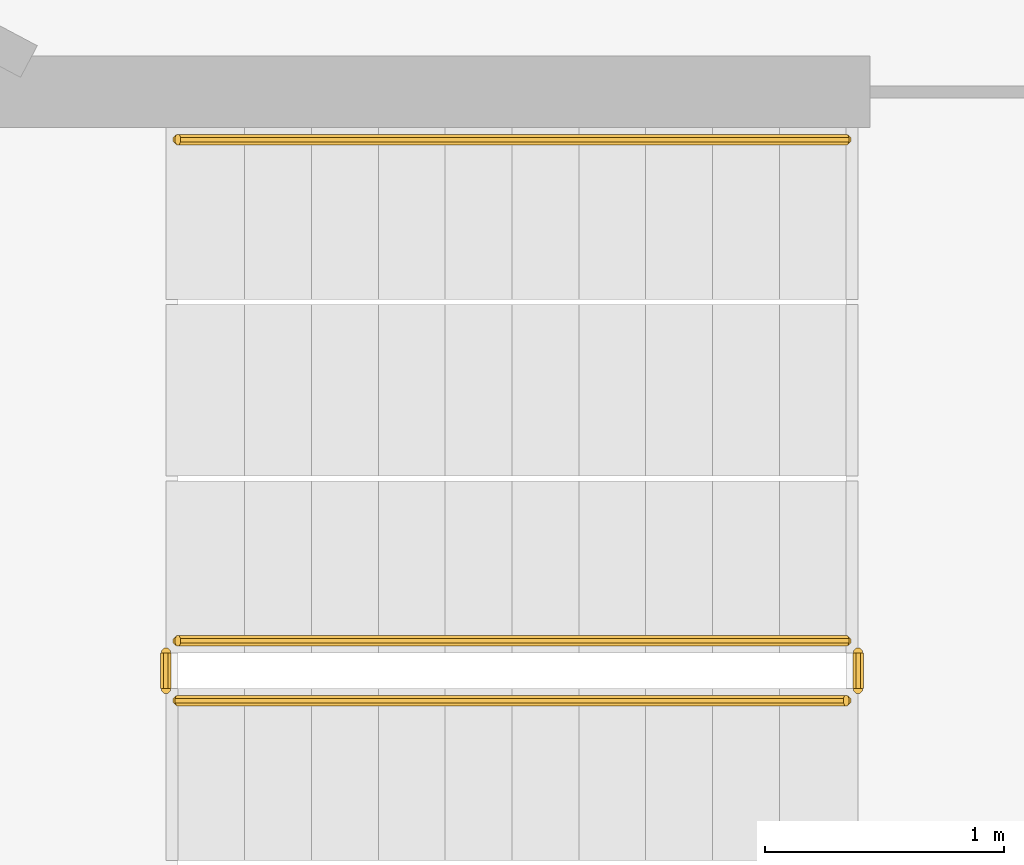
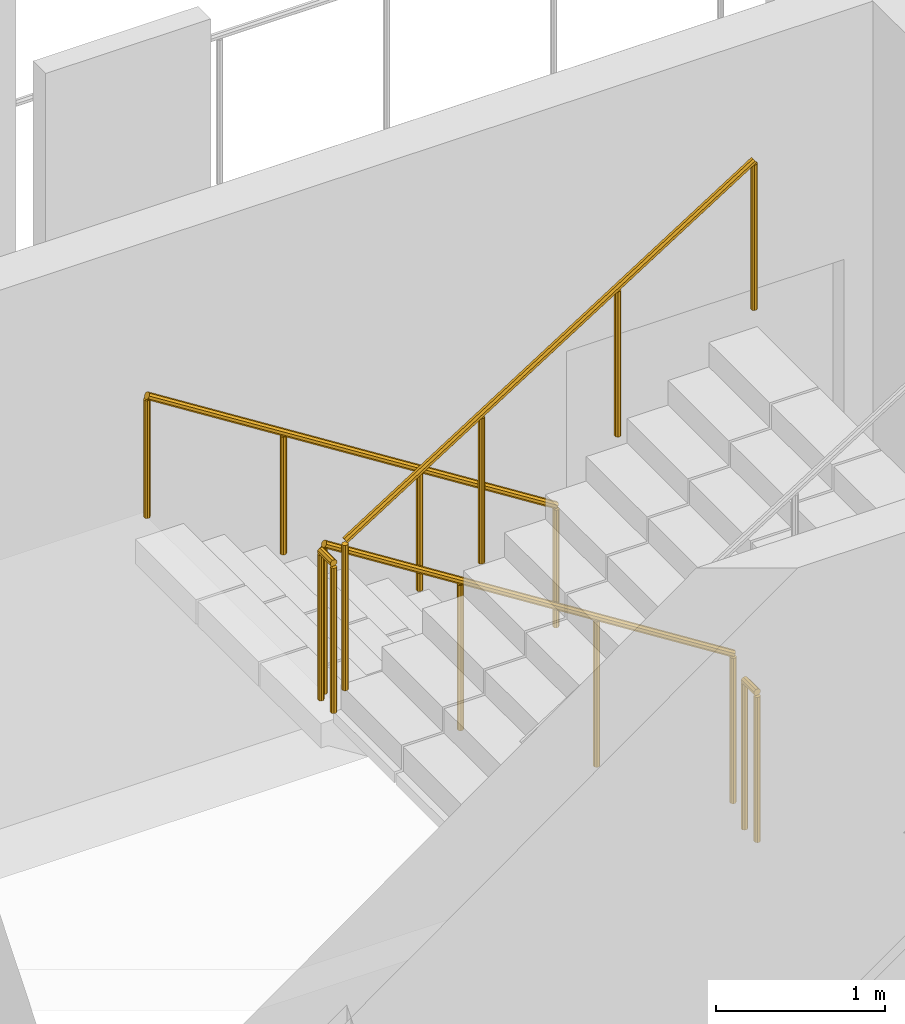
# One storey, part 19 of 25: 5 railings.
"""IFC4 building model written with IfcOpenShell, lengths in metres."""

from ifc_helpers import new_model, si_unit, direction, frame, origin, place, context, subcontext, project, spatial, polyline, outline, extrude, material, type_object, element, save


model = new_model("IFC4")

# Units and contexts
model_context = context("Model", 3, precision=1e-05, world=origin(), true_north=direction((0.0, 1.0)))
body_context = subcontext(model_context, "Body", "Model", "MODEL_VIEW")
ifc_project = project(units=[si_unit("LENGTHUNIT", "METRE"), si_unit("AREAUNIT", "SQUARE_METRE"), si_unit("VOLUMEUNIT", "CUBIC_METRE"), si_unit("PLANEANGLEUNIT", "RADIAN"), si_unit("MASSUNIT", "GRAM", prefix="KILO")], contexts=[model_context])

# Site, building, storey
site_placement = place(None, origin())
site = spatial("IfcSite", under=ifc_project, at=site_placement, CompositionType="ELEMENT")
building_placement = place(site_placement, origin())
building = spatial("IfcBuilding", under=site, at=building_placement, Name="Cormorant Relay Tower", CompositionType="ELEMENT")
storey_placement = place(building_placement, frame((0.0, 0.0, 289.199951171875)))
storey = spatial("IfcBuildingStorey", under=building, at=storey_placement, Name="L65", CompositionType="ELEMENT", Elevation=289.199951171875)

# Railings
ifc_material_1 = material(Name="Steel ASTM A572 Grade 50 (Fy 345 MPa)", Category="steel")
railing_type_1 = type_object("IfcRailingType", Name="Stair guard 1100", PredefinedType="GUARDRAIL", material=ifc_material_1)
railing_1_placement = place(storey_placement, frame((1.60009765625, -18.27490234375, 0.17724609375)))
element("IfcRailing", 1, at=railing_1_placement, inside=storey, type_object=railing_type_1, Name="L65 RK1 stair guard 1", PredefinedType="GUARDRAIL", context=body_context, shape_type="SweptSolid", body=[
    extrude(outline(polyline([(0.022216796875, 0.00927734375), (0.00927734375, 0.022216796875), (-0.00927734375, 0.022216796875), (-0.022216796875, 0.00927734375), (-0.022216796875, -0.00927734375), (-0.00927734375, -0.022216796875), (0.00927734375, -0.022216796875), (0.022216796875, -0.00927734375), (0.022216796875, 0.00927734375)])), frame((0.0, 0.0, 1.076171875), z_axis=(-0.844908973607, 0.0, 0.534910110503), x_axis=(0.0, -1.0, 0.0)), (0.0, 0.0, 1.0), 3.31396484375),
    extrude(outline(polyline([(0.019287109375, 0.008056640625), (0.008056640625, 0.019287109375), (-0.008056640625, 0.019287109375), (-0.019287109375, 0.008056640625), (-0.019287109375, -0.008056640625), (-0.008056640625, -0.019287109375), (0.008056640625, -0.019287109375), (0.019287109375, -0.008056640625), (0.019287109375, 0.008056640625)])), origin(), (0.0, 0.0, 1.0), 1.052001953125),
    extrude(outline(polyline([(0.019287109375, 0.008056640625), (0.008056640625, 0.019287109375), (-0.008056640625, 0.019287109375), (-0.019287109375, 0.008056640625), (-0.019287109375, -0.008056640625), (-0.008056640625, -0.019287109375), (0.008056640625, -0.019287109375), (0.019287109375, -0.008056640625), (0.019287109375, 0.008056640625)])), frame((-0.933349609375, 0.0, 0.5908203125)), (0.0, 0.0, 1.0), 1.052001953125),
    extrude(outline(polyline([(0.019287109375, 0.008056640625), (0.008056640625, 0.019287109375), (-0.008056640625, 0.019287109375), (-0.019287109375, 0.008056640625), (-0.019287109375, -0.008056640625), (-0.008056640625, -0.019287109375), (0.008056640625, -0.019287109375), (0.019287109375, -0.008056640625), (0.019287109375, 0.008056640625)])), frame((-1.86669921875, 0.0, 1.181884765625)), (0.0, 0.0, 1.0), 1.052001953125),
    extrude(outline(polyline([(0.019287109375, 0.008056640625), (0.008056640625, 0.019287109375), (-0.008056640625, 0.019287109375), (-0.019287109375, 0.008056640625), (-0.019287109375, -0.008056640625), (-0.008056640625, -0.019287109375), (0.008056640625, -0.019287109375), (0.019287109375, -0.008056640625), (0.019287109375, 0.008056640625)])), frame((-2.800048828125, 0.0, 1.772705078125)), (0.0, 0.0, 1.0), 1.052001953125),
])
railing_2_placement = place(storey_placement, frame((-1.25, -18.324951171875, 1.949951171875)))
element("IfcRailing", 2, at=railing_2_placement, inside=storey, type_object=railing_type_1, Name="L65 RK1 stair guard 2", PredefinedType="GUARDRAIL", context=body_context, shape_type="SweptSolid", body=[
    extrude(outline(polyline([(0.022216796875, 0.00927734375), (0.00927734375, 0.022216796875), (-0.00927734375, 0.022216796875), (-0.022216796875, 0.00927734375), (-0.022216796875, -0.00927734375), (-0.00927734375, -0.022216796875), (0.00927734375, -0.022216796875), (0.022216796875, -0.00927734375), (0.022216796875, 0.00927734375)])), frame((0.0, 0.0, 1.076171875), z_axis=(0.0, -1.0, 0.0), x_axis=(1.0, 0.0, 0.0)), (0.0, 0.0, 1.0), 0.150146484375),
    extrude(outline(polyline([(0.019287109375, 0.008056640625), (0.008056640625, 0.019287109375), (-0.008056640625, 0.019287109375), (-0.019287109375, 0.008056640625), (-0.019287109375, -0.008056640625), (-0.008056640625, -0.019287109375), (0.008056640625, -0.019287109375), (0.019287109375, -0.008056640625), (0.019287109375, 0.008056640625)])), origin(), (0.0, 0.0, 1.0), 1.052001953125),
    extrude(outline(polyline([(0.019287109375, 0.008056640625), (0.008056640625, 0.019287109375), (-0.008056640625, 0.019287109375), (-0.019287109375, 0.008056640625), (-0.019287109375, -0.008056640625), (-0.008056640625, -0.019287109375), (0.008056640625, -0.019287109375), (0.019287109375, -0.008056640625), (0.019287109375, 0.008056640625)])), frame((0.0, -0.150146484375, 0.0)), (0.0, 0.0, 1.0), 1.052001953125),
])
railing_3_placement = place(storey_placement, frame((-1.199951171875, -18.52490234375, 2.12744140625)))
element("IfcRailing", 3, at=railing_3_placement, inside=storey, type_object=railing_type_1, Name="L65 RK1 stair guard 3", PredefinedType="GUARDRAIL", context=body_context, shape_type="SweptSolid", body=[
    extrude(outline(polyline([(0.022216796875, 0.00927734375), (0.00927734375, 0.022216796875), (-0.00927734375, 0.022216796875), (-0.022216796875, 0.00927734375), (-0.022216796875, -0.00927734375), (-0.00927734375, -0.022216796875), (0.00927734375, -0.022216796875), (0.022216796875, -0.00927734375), (0.022216796875, 0.00927734375)])), frame((0.0, 0.0, 1.076171875), z_axis=(0.844908973607, 0.0, 0.534910110503), x_axis=(0.0, 1.0, 0.0)), (0.0, 0.0, 1.0), 3.31396484375),
    extrude(outline(polyline([(0.019287109375, 0.008056640625), (0.008056640625, 0.019287109375), (-0.008056640625, 0.019287109375), (-0.019287109375, 0.008056640625), (-0.019287109375, -0.008056640625), (-0.008056640625, -0.019287109375), (0.008056640625, -0.019287109375), (0.019287109375, -0.008056640625), (0.019287109375, 0.008056640625)])), origin(), (0.0, 0.0, 1.0), 1.052001953125),
    extrude(outline(polyline([(0.019287109375, 0.008056640625), (0.008056640625, 0.019287109375), (-0.008056640625, 0.019287109375), (-0.019287109375, 0.008056640625), (-0.019287109375, -0.008056640625), (-0.008056640625, -0.019287109375), (0.008056640625, -0.019287109375), (0.019287109375, -0.008056640625), (0.019287109375, 0.008056640625)])), frame((0.933349609375, 0.0, 0.5908203125)), (0.0, 0.0, 1.0), 1.052001953125),
    extrude(outline(polyline([(0.019287109375, 0.008056640625), (0.008056640625, 0.019287109375), (-0.008056640625, 0.019287109375), (-0.019287109375, 0.008056640625), (-0.019287109375, -0.008056640625), (-0.008056640625, -0.019287109375), (0.008056640625, -0.019287109375), (0.019287109375, -0.008056640625), (0.019287109375, 0.008056640625)])), frame((1.86669921875, 0.0, 1.181884765625)), (0.0, 0.0, 1.0), 1.052001953125),
    extrude(outline(polyline([(0.019287109375, 0.008056640625), (0.008056640625, 0.019287109375), (-0.008056640625, 0.019287109375), (-0.019287109375, 0.008056640625), (-0.019287109375, -0.008056640625), (-0.008056640625, -0.019287109375), (0.008056640625, -0.019287109375), (0.019287109375, -0.008056640625), (0.019287109375, 0.008056640625)])), frame((2.800048828125, 0.0, 1.772705078125)), (0.0, 0.0, 1.0), 1.052001953125),
])
railing_4_placement = place(storey_placement, frame((1.64990234375, -18.324951171875, 0.0)))
element("IfcRailing", 4, at=railing_4_placement, inside=storey, type_object=railing_type_1, Name="L65 RK1 stair guard 4", PredefinedType="GUARDRAIL", context=body_context, shape_type="SweptSolid", body=[
    extrude(outline(polyline([(0.022216796875, 0.00927734375), (0.00927734375, 0.022216796875), (-0.00927734375, 0.022216796875), (-0.022216796875, 0.00927734375), (-0.022216796875, -0.00927734375), (-0.00927734375, -0.022216796875), (0.00927734375, -0.022216796875), (0.022216796875, -0.00927734375), (0.022216796875, 0.00927734375)])), frame((0.0, 0.0, 1.076171875), z_axis=(0.0, -1.0, 0.0), x_axis=(1.0, 0.0, 0.0)), (0.0, 0.0, 1.0), 0.150146484375),
    extrude(outline(polyline([(0.019287109375, 0.008056640625), (0.008056640625, 0.019287109375), (-0.008056640625, 0.019287109375), (-0.019287109375, 0.008056640625), (-0.019287109375, -0.008056640625), (-0.008056640625, -0.019287109375), (0.008056640625, -0.019287109375), (0.019287109375, -0.008056640625), (0.019287109375, 0.008056640625)])), origin(), (0.0, 0.0, 1.0), 1.052001953125),
    extrude(outline(polyline([(0.019287109375, 0.008056640625), (0.008056640625, 0.019287109375), (-0.008056640625, 0.019287109375), (-0.019287109375, 0.008056640625), (-0.019287109375, -0.008056640625), (-0.008056640625, -0.019287109375), (0.008056640625, -0.019287109375), (0.019287109375, -0.008056640625), (0.019287109375, 0.008056640625)])), frame((0.0, -0.150146484375, 0.0)), (0.0, 0.0, 1.0), 1.052001953125),
])
ifc_material_2 = material(Name="Steel ASTM A572 Grade 50 (Fy 345 MPa)", Category="steel")
railing_type_2 = type_object("IfcRailingType", Name="Stair handrail 900", PredefinedType="HANDRAIL", material=ifc_material_2)
railing_5_placement = place(storey_placement, frame((1.60009765625, -16.175048828125, 0.17724609375)))
element("IfcRailing", 5, at=railing_5_placement, inside=storey, type_object=railing_type_2, Name="L65 RK1 stair handrail 1", PredefinedType="HANDRAIL", context=body_context, shape_type="SweptSolid", body=[
    extrude(outline(polyline([(0.022216796875, 0.00927734375), (0.00927734375, 0.022216796875), (-0.00927734375, 0.022216796875), (-0.022216796875, 0.00927734375), (-0.022216796875, -0.00927734375), (-0.00927734375, -0.022216796875), (0.00927734375, -0.022216796875), (0.022216796875, -0.00927734375), (0.022216796875, 0.00927734375)])), frame((0.0, 0.0, 0.8759765625), z_axis=(-0.844908973607, 0.0, 0.534910110503), x_axis=(0.0, -1.0, 0.0)), (0.0, 0.0, 1.0), 3.31396484375),
    extrude(outline(polyline([(0.019287109375, 0.008056640625), (0.008056640625, 0.019287109375), (-0.008056640625, 0.019287109375), (-0.019287109375, 0.008056640625), (-0.019287109375, -0.008056640625), (-0.008056640625, -0.019287109375), (0.008056640625, -0.019287109375), (0.019287109375, -0.008056640625), (0.019287109375, 0.008056640625)])), origin(), (0.0, 0.0, 1.0), 0.851806640625),
    extrude(outline(polyline([(0.019287109375, 0.008056640625), (0.008056640625, 0.019287109375), (-0.008056640625, 0.019287109375), (-0.019287109375, 0.008056640625), (-0.019287109375, -0.008056640625), (-0.008056640625, -0.019287109375), (0.008056640625, -0.019287109375), (0.019287109375, -0.008056640625), (0.019287109375, 0.008056640625)])), frame((-0.933349609375, 0.0, 0.5908203125)), (0.0, 0.0, 1.0), 0.851806640625),
    extrude(outline(polyline([(0.019287109375, 0.008056640625), (0.008056640625, 0.019287109375), (-0.008056640625, 0.019287109375), (-0.019287109375, 0.008056640625), (-0.019287109375, -0.008056640625), (-0.008056640625, -0.019287109375), (0.008056640625, -0.019287109375), (0.019287109375, -0.008056640625), (0.019287109375, 0.008056640625)])), frame((-1.86669921875, 0.0, 1.181884765625)), (0.0, 0.0, 1.0), 0.851806640625),
    extrude(outline(polyline([(0.019287109375, 0.008056640625), (0.008056640625, 0.019287109375), (-0.008056640625, 0.019287109375), (-0.019287109375, 0.008056640625), (-0.019287109375, -0.008056640625), (-0.008056640625, -0.019287109375), (0.008056640625, -0.019287109375), (0.019287109375, -0.008056640625), (0.019287109375, 0.008056640625)])), frame((-2.800048828125, 0.0, 1.772705078125)), (0.0, 0.0, 1.0), 0.851806640625),
])

save(model, "model.ifc")
